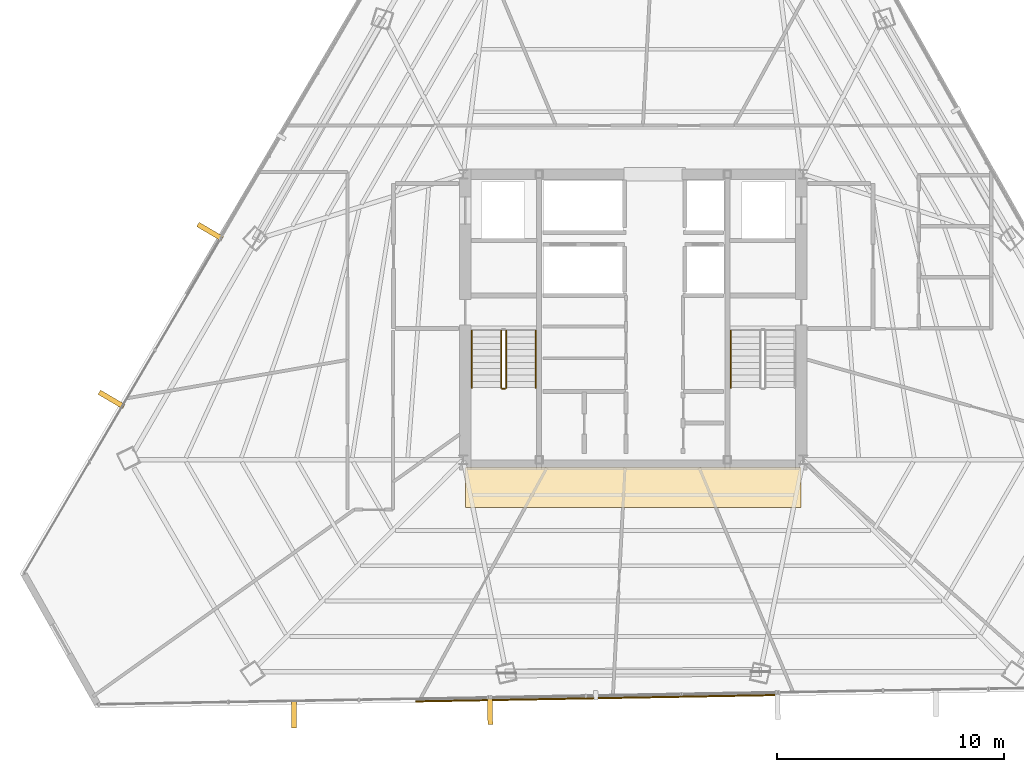
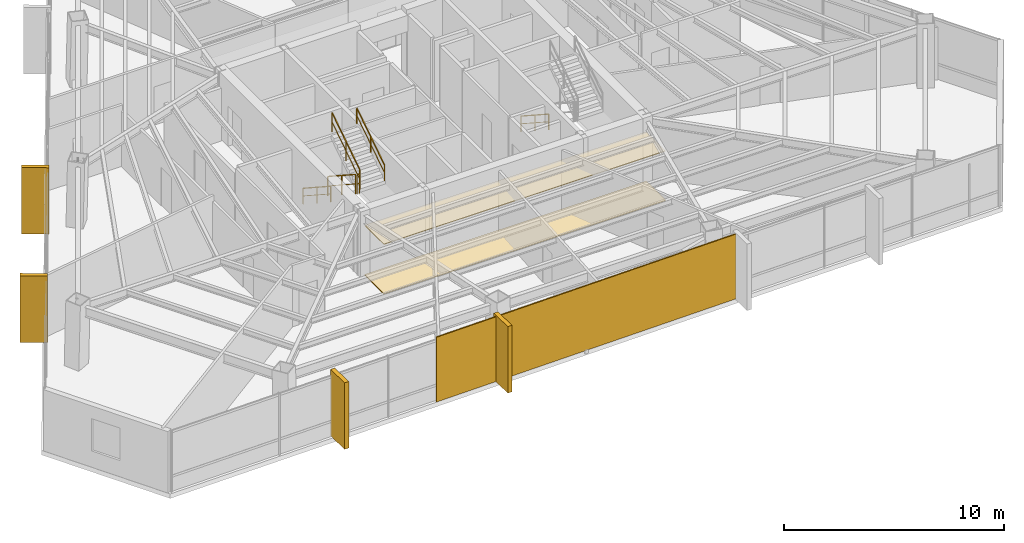
# One storey, part 39 of 42: 6 coverings, 6 railings, 1 shading device.
"""IFC4 building model written with IfcOpenShell, lengths in metres."""

from ifc_helpers import new_model, si_unit, direction, frame, origin, origin_2d, place, context, subcontext, project, spatial, polyline, rectangle, outline, extrude, source, transform, mapped, material, layer, layer_set, type_object, type_shapes, element, save


model = new_model("IFC4")

# Units and contexts
model_context = context("Model", 3, precision=1e-05, world=origin(), true_north=direction((0.0, 1.0)))
body_context = subcontext(model_context, "Body", "Model", "MODEL_VIEW")
ifc_project = project(units=[si_unit("LENGTHUNIT", "METRE"), si_unit("AREAUNIT", "SQUARE_METRE"), si_unit("VOLUMEUNIT", "CUBIC_METRE"), si_unit("PLANEANGLEUNIT", "RADIAN"), si_unit("MASSUNIT", "GRAM", prefix="KILO")], contexts=[model_context])

# Site, building, storey
site_placement = place(None, origin())
site = spatial("IfcSite", under=ifc_project, at=site_placement, CompositionType="ELEMENT")
building_placement = place(site_placement, origin())
building = spatial("IfcBuilding", under=site, at=building_placement, Name="Caelisora Broadcast Tower", CompositionType="ELEMENT")
storey_placement = place(building_placement, frame((0.0, 0.0, 187.699951171875)))
storey = spatial("IfcBuildingStorey", under=building, at=storey_placement, Name="L49", CompositionType="ELEMENT", Elevation=187.699951171875)

# Coverings
ifc_material_1 = material(Name="Perforated Mineral-Fibre Acoustic Ceiling Tile", Category="gypsum")
ifc_layer_1 = layer(ifc_material_1, 0.034912109375, Name="Perforated Mineral-Fibre Acoustic Ceiling Tile")
ifc_layer_set_1 = layer_set([ifc_layer_1], Name="Perforated Mineral-Fibre Acoustic Ceiling Tile")
covering_type_1 = type_object("IfcCoveringType", Name="CE-1", PredefinedType="CEILING", material=ifc_layer_set_1)
covering_1_placement = place(storey_placement, frame((0.0, 0.0, 2.75)))
element("IfcCovering", 1, at=covering_1_placement, inside=storey, type_object=covering_type_1, Name="L49 acoustic corridor ceiling CE-1 (S)", PredefinedType="CEILING", context=body_context, shape_type="SweptSolid", body=[
    extrude(outline(polyline([(30.60009765625, 15.300048828125), (45.39990234375, 15.300048828125), (45.39990234375, 17.050048828125), (30.60009765625, 17.050048828125), (30.60009765625, 15.300048828125)])), origin(), (0.0, 0.0, 1.0), 0.03515625),
])
ifc_material_2 = material(Name="Anti-Static Broadcast Raised Access Floor Panel", Category="steel")
ifc_layer_2 = layer(ifc_material_2, 0.044921875, Name="Anti-Static Broadcast Raised Access Floor Panel")
ifc_layer_set_2 = layer_set([ifc_layer_2], Name="Anti-Static Broadcast Raised Access Floor Panel")
covering_type_2 = type_object("IfcCoveringType", Name="FL-1", PredefinedType="FLOORING", material=ifc_layer_set_2)
covering_2_placement = place(storey_placement, origin())
element("IfcCovering", 2, at=covering_2_placement, inside=storey, type_object=covering_type_2, Name="L49 broadcast raised access floor FL-1 (S)", PredefinedType="FLOORING", context=body_context, shape_type="SweptSolid", body=[
    extrude(outline(polyline([(30.60009765625, 15.300048828125), (45.39990234375, 15.300048828125), (45.39990234375, 17.050048828125), (30.60009765625, 17.050048828125), (30.60009765625, 15.300048828125)])), origin(), (0.0, 0.0, 1.0), 0.045166015625),
])

# Railings
ifc_material_3 = material(Name="Galvanised Steel Safety Guardrail", Category="steel")
ifc_layer_3 = layer(ifc_material_3, 0.048095703125, Name="Galvanised Steel Safety Guardrail")
ifc_layer_set_3 = layer_set([ifc_layer_3], Name="Galvanised Steel Safety Guardrail")
railing_type_1 = type_object("IfcRailingType", Name="GR-1", PredefinedType="GUARDRAIL", material=ifc_layer_set_3)
railing_1_placement = place(storey_placement, frame((32.169921875, 23.10009765625, 0.1826171875)))
element("IfcRailing", 3, at=railing_1_placement, inside=storey, type_object=railing_type_1, Name="L49 ST-1 stair guard 1", PredefinedType="GUARDRAIL", context=body_context, shape_type="SweptSolid", body=[
    extrude(rectangle(XDim=0.048095703125, YDim=0.048095703125, at=origin_2d()), frame((0.0, 0.0, 1.076171875), z_axis=(0.0, -0.837786554691, 0.545997883492), x_axis=(1.0, 0.0, 0.0)), (0.0, 0.0, 1.0), 3.008056640625),
    extrude(rectangle(XDim=0.03125, YDim=0.03125, at=origin_2d()), frame((0.0, 0.0, 0.550048828125), z_axis=(0.0, -0.837786554691, 0.545997883492), x_axis=(1.0, 0.0, 0.0)), (0.0, 0.0, 1.0), 3.008056640625),
    extrude(rectangle(XDim=0.0419921875, YDim=0.0419921875, at=origin_2d()), origin(), (0.0, 0.0, 1.0), 1.052001953125),
    extrude(rectangle(XDim=0.0419921875, YDim=0.0419921875, at=origin_2d()), frame((0.0, -1.260009765625, 0.8212890625)), (0.0, 0.0, 1.0), 1.052001953125),
    extrude(rectangle(XDim=0.0419921875, YDim=0.0419921875, at=origin_2d()), frame((0.0, -2.52001953125, 1.642333984375)), (0.0, 0.0, 1.0), 1.052001953125),
])
railing_2_placement = place(storey_placement, frame((32.219970703125, 20.530029296875, 1.824951171875)))
element("IfcRailing", 4, at=railing_2_placement, inside=storey, type_object=railing_type_1, Name="L49 ST-1 stair guard 2", PredefinedType="GUARDRAIL", context=body_context, shape_type="SweptSolid", body=[
    extrude(rectangle(XDim=0.048095703125, YDim=0.048095703125, at=origin_2d()), frame((0.0, 0.0, 1.076171875), z_axis=(1.0, 0.0, 0.0), x_axis=(0.0, 1.0, 0.0)), (0.0, 0.0, 1.0), 0.1201171875),
    extrude(rectangle(XDim=0.03125, YDim=0.03125, at=origin_2d()), frame((0.0, 0.0, 0.550048828125), z_axis=(1.0, 0.0, 0.0), x_axis=(0.0, 1.0, 0.0)), (0.0, 0.0, 1.0), 0.1201171875),
    extrude(rectangle(XDim=0.0419921875, YDim=0.0419921875, at=origin_2d()), origin(), (0.0, 0.0, 1.0), 1.052001953125),
    extrude(rectangle(XDim=0.0419921875, YDim=0.0419921875, at=origin_2d()), frame((0.1201171875, 0.0, 0.0)), (0.0, 0.0, 1.0), 1.052001953125),
])
railing_3_placement = place(storey_placement, frame((32.389892578125, 20.580078125, 2.007568359375)))
element("IfcRailing", 5, at=railing_3_placement, inside=storey, type_object=railing_type_1, Name="L49 ST-1 stair guard 3", PredefinedType="GUARDRAIL", context=body_context, shape_type="SweptSolid", body=[
    extrude(rectangle(XDim=0.048095703125, YDim=0.048095703125, at=origin_2d()), frame((0.0, 0.0, 1.076171875), z_axis=(0.0, 0.837749427056, 0.546054848405), x_axis=(-1.0, 0.0, 0.0)), (0.0, 0.0, 1.0), 3.008056640625),
    extrude(rectangle(XDim=0.03125, YDim=0.03125, at=origin_2d()), frame((0.0, 0.0, 0.550048828125), z_axis=(0.0, 0.837749427056, 0.546054848405), x_axis=(-1.0, 0.0, 0.0)), (0.0, 0.0, 1.0), 3.008056640625),
    extrude(rectangle(XDim=0.0419921875, YDim=0.0419921875, at=origin_2d()), origin(), (0.0, 0.0, 1.0), 1.052001953125),
    extrude(rectangle(XDim=0.0419921875, YDim=0.0419921875, at=origin_2d()), frame((0.0, 1.260009765625, 0.8212890625)), (0.0, 0.0, 1.0), 1.052001953125),
    extrude(rectangle(XDim=0.0419921875, YDim=0.0419921875, at=origin_2d()), frame((0.0, 2.52001953125, 1.642578125)), (0.0, 0.0, 1.0), 1.052001953125),
])
ifc_material_4 = material(Name="Stainless Steel Grade 316 Tubular Handrail", Category="steel")
ifc_layer_4 = layer(ifc_material_4, 0.048095703125, Name="Stainless Steel Grade 316 Tubular Handrail")
ifc_layer_set_4 = layer_set([ifc_layer_4], Name="Stainless Steel Grade 316 Tubular Handrail")
railing_type_2 = type_object("IfcRailingType", Name="HR-1", PredefinedType="HANDRAIL", material=ifc_layer_set_4)
railing_4_placement = place(storey_placement, frame((30.8701171875, 23.10009765625, 0.1826171875)))
element("IfcRailing", 6, at=railing_4_placement, inside=storey, type_object=railing_type_2, Name="L49 ST-1 stair handrail 1", PredefinedType="HANDRAIL", context=body_context, shape_type="SweptSolid", body=[
    extrude(rectangle(XDim=0.048095703125, YDim=0.048095703125, at=origin_2d()), frame((0.0, 0.0, 0.8759765625), z_axis=(0.0, -0.837786554691, 0.545997883492), x_axis=(1.0, 0.0, 0.0)), (0.0, 0.0, 1.0), 3.008056640625),
    extrude(rectangle(XDim=0.03125, YDim=0.03125, at=origin_2d()), frame((0.0, 0.0, 0.449951171875), z_axis=(0.0, -0.837786554691, 0.545997883492), x_axis=(1.0, 0.0, 0.0)), (0.0, 0.0, 1.0), 3.008056640625),
    extrude(rectangle(XDim=0.0419921875, YDim=0.0419921875, at=origin_2d()), origin(), (0.0, 0.0, 1.0), 0.851806640625),
    extrude(rectangle(XDim=0.0419921875, YDim=0.0419921875, at=origin_2d()), frame((0.0, -1.260009765625, 0.8212890625)), (0.0, 0.0, 1.0), 0.851806640625),
    extrude(rectangle(XDim=0.0419921875, YDim=0.0419921875, at=origin_2d()), frame((0.0, -2.52001953125, 1.642333984375)), (0.0, 0.0, 1.0), 0.851806640625),
])
railing_5_placement = place(storey_placement, frame((33.68994140625, 20.580078125, 2.007568359375)))
element("IfcRailing", 7, at=railing_5_placement, inside=storey, type_object=railing_type_2, Name="L49 ST-1 stair handrail 2", PredefinedType="HANDRAIL", context=body_context, shape_type="SweptSolid", body=[
    extrude(rectangle(XDim=0.048095703125, YDim=0.048095703125, at=origin_2d()), frame((0.0, 0.0, 0.8759765625), z_axis=(0.0, 0.837749427056, 0.546054848405), x_axis=(-1.0, 0.0, 0.0)), (0.0, 0.0, 1.0), 3.008056640625),
    extrude(rectangle(XDim=0.03125, YDim=0.03125, at=origin_2d()), frame((0.0, 0.0, 0.449951171875), z_axis=(0.0, 0.837749427056, 0.546054848405), x_axis=(-1.0, 0.0, 0.0)), (0.0, 0.0, 1.0), 3.008056640625),
    extrude(rectangle(XDim=0.0419921875, YDim=0.0419921875, at=origin_2d()), origin(), (0.0, 0.0, 1.0), 0.851806640625),
    extrude(rectangle(XDim=0.0419921875, YDim=0.0419921875, at=origin_2d()), frame((0.0, 1.260009765625, 0.8212890625)), (0.0, 0.0, 1.0), 0.851806640625),
    extrude(rectangle(XDim=0.0419921875, YDim=0.0419921875, at=origin_2d()), frame((0.0, 2.52001953125, 1.642578125)), (0.0, 0.0, 1.0), 0.851806640625),
])
railing_6_placement = place(storey_placement, frame((42.31005859375, 23.10009765625, 0.1826171875)))
element("IfcRailing", 8, at=railing_6_placement, inside=storey, type_object=railing_type_2, Name="L49 ST-2 stair handrail 1", PredefinedType="HANDRAIL", context=body_context, shape_type="SweptSolid", body=[
    extrude(rectangle(XDim=0.048095703125, YDim=0.048095703125, at=origin_2d()), frame((0.0, 0.0, 0.8759765625), z_axis=(0.0, -0.837786554691, 0.545997883492), x_axis=(1.0, 0.0, 0.0)), (0.0, 0.0, 1.0), 3.008056640625),
    extrude(rectangle(XDim=0.03125, YDim=0.03125, at=origin_2d()), frame((0.0, 0.0, 0.449951171875), z_axis=(0.0, -0.837786554691, 0.545997883492), x_axis=(1.0, 0.0, 0.0)), (0.0, 0.0, 1.0), 3.008056640625),
    extrude(rectangle(XDim=0.0419921875, YDim=0.0419921875, at=origin_2d()), origin(), (0.0, 0.0, 1.0), 0.851806640625),
    extrude(rectangle(XDim=0.0419921875, YDim=0.0419921875, at=origin_2d()), frame((0.0, -1.260009765625, 0.8212890625)), (0.0, 0.0, 1.0), 0.851806640625),
    extrude(rectangle(XDim=0.0419921875, YDim=0.0419921875, at=origin_2d()), frame((0.0, -2.52001953125, 1.642333984375)), (0.0, 0.0, 1.0), 0.851806640625),
])

# Coverings
ifc_material_5 = material(Name="Kiln-Fired Terracotta Spandrel Rainscreen Cladding", Category="ceramic")
ifc_layer_5 = layer(ifc_material_5, 0.044921875, Name="Kiln-Fired Terracotta Spandrel Rainscreen Cladding")
ifc_layer_set_5 = layer_set([ifc_layer_5], Name="Kiln-Fired Terracotta Spandrel Rainscreen Cladding")
covering_type_3 = type_object("IfcCoveringType", Name="CL-1", PredefinedType="CLADDING", material=ifc_layer_set_5)
shared_shape_1 = source(origin(), body_context, "Body", "SweptSolid", [
    extrude(rectangle(XDim=0.219970703125, YDim=1.25, at=origin_2d()), origin(), (0.0, 0.0, 1.0), 3.68994140625),
])
type_shapes(covering_type_3, [shared_shape_1])
for number, where, z_axis, x_axis, name in (
    (9, (31.682373046875, 6.34423828125, -0.02001953125), (0.0, 0.0, 1.0), (-0.999844633908, -0.017626912514, 0.0), "L49 vertical solar fin cladding #2-3"),
    (10, (23.029541015625, 6.192138671875, -0.02001953125), (0.0, 0.0, 1.0), (-0.999844633908, -0.017626912514, 0.0), "L49 vertical solar fin cladding #2-4"),
    (11, (14.97802734375, 20.062255859375, -0.02001953125), (0.0, 0.0, 1.0), (0.506334807353, 0.862336977557, 0.0), "L49 vertical solar fin cladding #3-1"),
    (12, (19.326904296875, 27.46875, -0.02001953125), (0.0, 0.0, 1.0), (0.506334807353, 0.862336977557, 0.0), "L49 vertical solar fin cladding #3-2"),
):
    element("IfcCovering", number, at=place(storey_placement, frame(where, z_axis=z_axis, x_axis=x_axis)), inside=storey, type_object=covering_type_3, Name=name, PredefinedType="CLADDING", context=body_context, shape_type="MappedRepresentation", body=[
        mapped(shared_shape_1, transform((0.0, 0.0, 0.0), scale=1.0)),
    ])

# Shading device
ifc_material_6 = material(Name="Perforated Glazed Terracotta Baguette Solar Screen", Category="ceramic")
ifc_layer_6 = layer(ifc_material_6, 0.06494140625, Name="Perforated Glazed Terracotta Baguette Solar Screen")
ifc_layer_set_6 = layer_set([ifc_layer_6], Name="Perforated Glazed Terracotta Baguette Solar Screen")
shading_device_type = type_object("IfcShadingDeviceType", Name="SS-1", PredefinedType="USERDEFINED", material=ifc_layer_set_6)
shared_shape_2 = source(origin(), body_context, "Body", "SweptSolid", [
    extrude(rectangle(XDim=15.89404296875, YDim=0.06494140625, at=origin_2d()), origin(), (0.0, 0.0, 1.0), 3.590087890625),
])
type_shapes(shading_device_type, [shared_shape_2])
shading_device_placement = place(storey_placement, frame((36.350341796875, 6.87646484375, 0.0), z_axis=(0.0, 0.0, 1.0), x_axis=(0.999844633908, 0.017626912514, 0.0)))
element("IfcShadingDevice", 13, at=shading_device_placement, inside=storey, type_object=shading_device_type, Name="L49 perforated terracotta solar screen #2", ObjectType="SOLAR SCREEN", PredefinedType="USERDEFINED", context=body_context, shape_type="MappedRepresentation", body=[
    mapped(shared_shape_2, transform((0.0, 0.0, 0.0), scale=1.0)),
])

save(model, "model.ifc")
